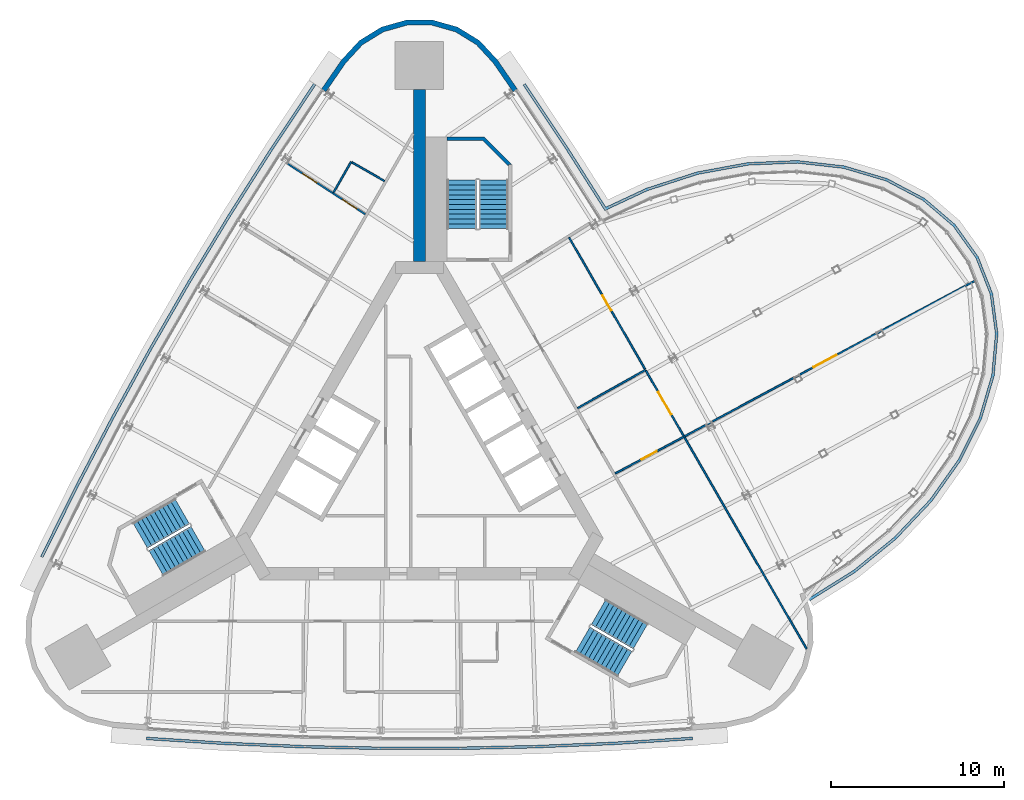
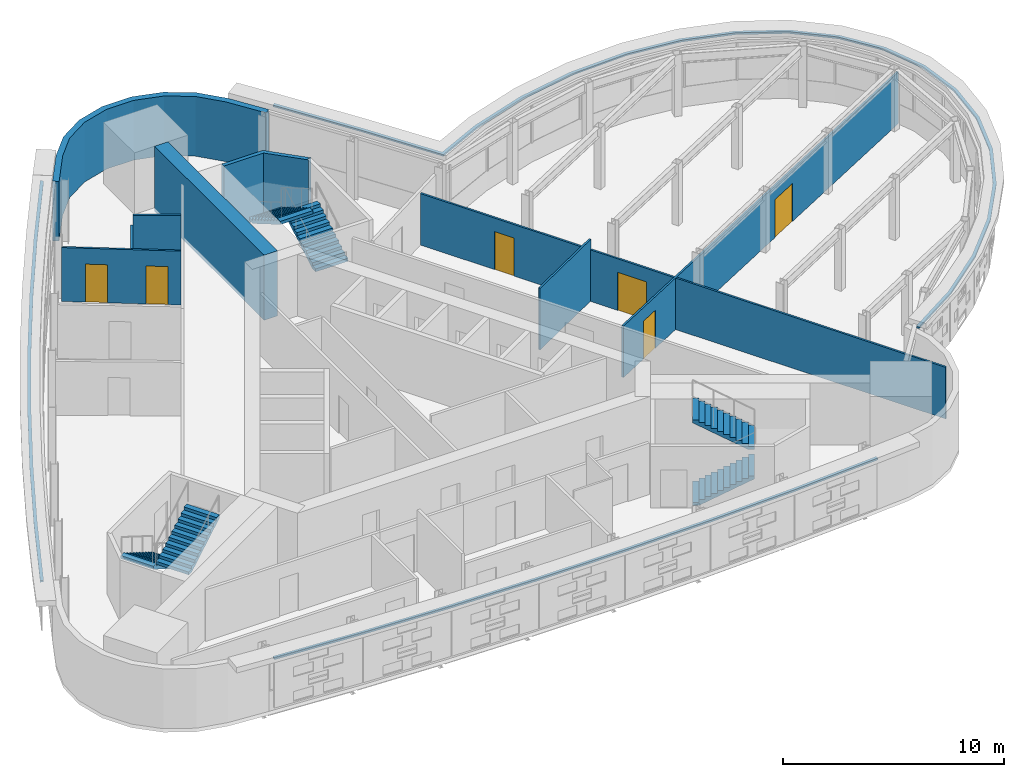
# One storey, part 12 of 15: 11 walls, 6 doors, 6 stair flights, 3 discrete accessories, 6 openings, 3 elements without a shape of their own.
"""IFC4 building model written with IfcOpenShell, lengths in metres."""

from ifc_helpers import new_model, si_unit, direction, frame, frame_2d, origin, place, context, subcontext, project, spatial, polyline, rectangle, outline, extrude, material, layer, layer_set, type_object, element, fill, aggregate, save


model = new_model("IFC4")

# Units and contexts
model_context = context("Model", 3, precision=1e-05, world=origin(), true_north=direction((0.0, 1.0)))
body_context = subcontext(model_context, "Body", "Model", "MODEL_VIEW")
ifc_project = project(units=[si_unit("LENGTHUNIT", "METRE"), si_unit("AREAUNIT", "SQUARE_METRE"), si_unit("VOLUMEUNIT", "CUBIC_METRE"), si_unit("PLANEANGLEUNIT", "RADIAN"), si_unit("MASSUNIT", "GRAM", prefix="KILO")], contexts=[model_context])

# Site, building, storey
site_placement = place(None, origin())
site = spatial("IfcSite", under=ifc_project, at=site_placement, CompositionType="ELEMENT")
building_placement = place(site_placement, origin())
building = spatial("IfcBuilding", under=site, at=building_placement, Name="Noor Cloister Tower", CompositionType="ELEMENT")
storey_placement = place(building_placement, frame((0.0, 0.0, 181.5)))
storey = spatial("IfcBuildingStorey", under=building, at=storey_placement, Name="L46", CompositionType="ELEMENT", Elevation=181.5)

# Walls
ifc_material_1 = material(Name="Concrete C70/85", Category="concrete")
ifc_layer_1 = layer(ifc_material_1, 0.699951171875)
ifc_layer_set_1 = layer_set([ifc_layer_1], Name="Buttress wall 700 C70/85")
wall_type_1 = type_object("IfcWallType", Name="Buttress wall 700 C70/85", PredefinedType="SHEAR", material=ifc_layer_set_1)
wall_1_placement = place(storey_placement, frame((0.0, 11.456298828125, -0.199951171875), z_axis=(0.0, 0.0, 1.0), x_axis=(0.0, 1.0, 0.0)))
element("IfcWall", 1, at=wall_1_placement, inside=storey, type_object=wall_type_1, Name="Buttress wall N L46", PredefinedType="SHEAR", context=body_context, shape_type="SweptSolid", body=[
    extrude(rectangle(XDim=9.927734375, YDim=0.699951171875, at=frame_2d((4.9638671875, 0.0))), origin(), (0.0, 0.0, 1.0), 3.599853515625),
])
ifc_material_2 = material(Name="Limestone", Category="masonry")
ifc_layer_2 = layer(ifc_material_2, 0.300048828125)
ifc_layer_set_2 = layer_set([ifc_layer_2], Name="Limestone cladding 300")
wall_type_2 = type_object("IfcWallType", Name="Limestone cladding 300", PredefinedType="NOTDEFINED", material=ifc_layer_set_2)
wall_2_placement = place(storey_placement, origin())
element("IfcWall", 2, at=wall_2_placement, inside=storey, type_object=wall_type_2, Name="Limestone pier cladding L46 3.1", PredefinedType="NOTDEFINED", context=body_context, shape_type="SweptSolid", body=[
    extrude(outline(polyline([(5.65234375, 21.43310546875), (4.496826171875, 23.113037109375), (3.47802734375, 24.2177734375), (2.197509765625, 25.00390625), (0.751220703125, 25.412353515625), (-0.751220703125, 25.412353515625), (-2.197509765625, 25.00390625), (-3.47802734375, 24.2177734375), (-4.496826171875, 23.113037109375), (-5.65234375, 21.43310546875), (-5.405029296875, 21.26318359375), (-4.26171875, 22.925537109375), (-3.28564453125, 23.98388671875), (-2.075927734375, 24.7265625), (-0.709716796875, 25.1123046875), (0.709716796875, 25.1123046875), (2.075927734375, 24.7265625), (3.28564453125, 23.98388671875), (4.26171875, 22.925537109375), (5.405029296875, 21.26318359375), (5.65234375, 21.43310546875)])), origin(), (0.0, 0.0, 1.0), 3.300048828125),
])

# Wall, openings, doors
ifc_material_3 = material(Name="Gypsum board partition on steel studs, 100 mm", Category="steel")
ifc_layer_3 = layer(ifc_material_3, 0.10009765625)
ifc_layer_set_3 = layer_set([ifc_layer_3], Name="Partition 100")
wall_type_3 = type_object("IfcWallType", Name="Partition 100", PredefinedType="PARTITIONING", material=ifc_layer_set_3)
wall_3_placement = place(storey_placement, frame((11.3115234375, -0.785888671875, 0.0), z_axis=(0.0, 0.0, 1.0), x_axis=(0.881471822947, 0.472236620087, 0.0)))
wall_3 = element("IfcWall", 3, at=wall_3_placement, inside=storey, type_object=wall_type_3, Name="Wall L46-W03", PredefinedType="PARTITIONING", context=body_context, shape_type="SweptSolid", body=[
    extrude(rectangle(XDim=23.611328125, YDim=0.10009765625, at=frame_2d((11.8056640625, 0.0))), origin(), (0.0, 0.0, 1.0), 2.846923828125),
])
opening_1_placement = place(wall_3_placement, frame((1.716064453125, 0.0, 0.0)))
opening_1 = element("IfcOpeningElement", 4, at=opening_1_placement, cuts=wall_3, Name="Opening L46-002", PredefinedType="OPENING", context=body_context, shape_type="SweptSolid", body=[
    extrude(rectangle(XDim=1.0, YDim=2.10009765625, at=frame_2d((0.5, 1.050048828125))), frame((0.0, 0.06005859375, 0.0), z_axis=(0.0, -1.0, 0.0), x_axis=(1.0, 0.0, 0.0)), (0.0, 0.0, 1.0), 0.1201171875),
])
opening_2_placement = place(wall_3_placement, frame((13.001953125, 0.0, 0.0)))
opening_2 = element("IfcOpeningElement", 5, at=opening_2_placement, cuts=wall_3, Name="Opening L46-003", PredefinedType="OPENING", context=body_context, shape_type="SweptSolid", body=[
    extrude(rectangle(XDim=1.5, YDim=2.10009765625, at=frame_2d((0.75, 1.050048828125))), frame((0.0, 0.06005859375, 0.0), z_axis=(0.0, -1.0, 0.0), x_axis=(1.0, 0.0, 0.0)), (0.0, 0.0, 1.0), 0.1201171875),
])
ifc_material_4 = material(Name="Timber door leaf with steel frame", Category="steel")
door_type_1 = type_object("IfcDoorType", Name="Double door 1500", OperationType="NOTDEFINED", PredefinedType="DOOR", material=ifc_material_4)
door_1_placement = place(opening_2_placement, origin())
door_1 = element("IfcDoor", 6, at=door_1_placement, inside=storey, type_object=door_type_1, Name="Door L46-003", OperationType="DOUBLE_DOOR_SINGLE_SWING", OverallHeight=2.10009765625, OverallWidth=1.5, PredefinedType="DOOR", context=body_context, shape_type="SweptSolid", body=[
    extrude(rectangle(XDim=1.5, YDim=2.10009765625, at=frame_2d((0.75, 1.050048828125))), frame((0.0, 0.02490234375, 0.0), z_axis=(0.0, -1.0, 0.0), x_axis=(1.0, 0.0, 0.0)), (0.0, 0.0, 1.0), 0.050048828125),
])
fill(opening_2, door_1)
ifc_material_5 = material(Name="Timber door leaf with steel frame", Category="steel")
door_type_2 = type_object("IfcDoorType", Name="Interior door 1000", OperationType="NOTDEFINED", PredefinedType="DOOR", material=ifc_material_5)
door_2_placement = place(opening_1_placement, origin())
door_2 = element("IfcDoor", 7, at=door_2_placement, inside=storey, type_object=door_type_2, Name="Door L46-002", OperationType="SINGLE_SWING_RIGHT", OverallHeight=2.10009765625, OverallWidth=1.0, PredefinedType="DOOR", context=body_context, shape_type="SweptSolid", body=[
    extrude(rectangle(XDim=1.0, YDim=2.10009765625, at=frame_2d((0.5, 1.050048828125))), frame((0.0, 0.02490234375, 0.0), z_axis=(0.0, -1.0, 0.0), x_axis=(1.0, 0.0, 0.0)), (0.0, 0.0, 1.0), 0.050048828125),
])
fill(opening_1, door_2)

# Walls
wall_4_placement = place(storey_placement, frame((9.132568359375, 2.988525390625, 0.0), z_axis=(0.0, 0.0, 1.0), x_axis=(0.871281573597, 0.490783475181, 0.0)))
element("IfcWall", 8, at=wall_4_placement, inside=storey, type_object=wall_type_3, Name="Wall L46-W04", PredefinedType="PARTITIONING", context=body_context, shape_type="SweptSolid", body=[
    extrude(rectangle(XDim=4.5048828125, YDim=0.10009765625, at=frame_2d((2.25244140625, 0.0))), origin(), (0.0, 0.0, 1.0), 3.39990234375),
])
wall_5_placement = place(storey_placement, frame((22.362548828125, -10.9169921875, 0.0), z_axis=(0.0, 0.0, 1.0), x_axis=(-0.500007103281, 0.866021302664, 0.0)))
element("IfcWall", 9, at=wall_5_placement, inside=storey, type_object=wall_type_3, Name="Wall L46-W05", PredefinedType="PARTITIONING", context=body_context, shape_type="SweptSolid", body=[
    extrude(rectangle(XDim=14.106201171875, YDim=0.10009765625, at=frame_2d((7.05322265625, 0.0))), origin(), (0.0, 0.0, 1.0), 2.846923828125),
])

# Wall, opening, door
wall_6_placement = place(storey_placement, frame((15.25927734375, 1.385986328125, 0.0), z_axis=(0.0, 0.0, 1.0), x_axis=(-0.499999150107, 0.86602589447, 0.0)))
wall_6 = element("IfcWall", 10, at=wall_6_placement, inside=storey, type_object=wall_type_3, Name="Wall L46-W06", PredefinedType="PARTITIONING", context=body_context, shape_type="SweptSolid", body=[
    extrude(rectangle(XDim=4.353515625, YDim=0.10009765625, at=frame_2d((2.1767578125, 0.0))), origin(), (0.0, 0.0, 1.0), 2.846923828125),
])
opening_3_placement = place(wall_6_placement, frame((1.4267578125, 0.0, 0.0)))
opening_3 = element("IfcOpeningElement", 11, at=opening_3_placement, cuts=wall_6, Name="Opening L46-004", PredefinedType="OPENING", context=body_context, shape_type="SweptSolid", body=[
    extrude(rectangle(XDim=1.5, YDim=2.10009765625, at=frame_2d((0.75, 1.050048828125))), frame((0.0, 0.06005859375, 0.0), z_axis=(0.0, -1.0, 0.0), x_axis=(1.0, 0.0, 0.0)), (0.0, 0.0, 1.0), 0.1201171875),
])
door_3_placement = place(opening_3_placement, origin())
door_3 = element("IfcDoor", 12, at=door_3_placement, inside=storey, type_object=door_type_1, Name="Door L46-004", OperationType="DOUBLE_DOOR_SINGLE_SWING", OverallHeight=2.10009765625, OverallWidth=1.5, PredefinedType="DOOR", context=body_context, shape_type="SweptSolid", body=[
    extrude(rectangle(XDim=1.5, YDim=2.10009765625, at=frame_2d((0.75, 1.050048828125))), frame((0.0, 0.02490234375, 0.0), z_axis=(0.0, -1.0, 0.0), x_axis=(1.0, 0.0, 0.0)), (0.0, 0.0, 1.0), 0.050048828125),
])
fill(opening_3, door_3)

wall_7_placement = place(storey_placement, frame((13.032470703125, 5.242919921875, 0.0), z_axis=(0.0, 0.0, 1.0), x_axis=(-0.499996840937, 0.866027227663, 0.0)))
wall_7 = element("IfcWall", 13, at=wall_7_placement, inside=storey, type_object=wall_type_3, Name="Wall L46-W07", PredefinedType="PARTITIONING", context=body_context, shape_type="SweptSolid", body=[
    extrude(rectangle(XDim=8.7802734375, YDim=0.10009765625, at=frame_2d((4.39013671875, 0.0))), origin(), (0.0, 0.0, 1.0), 2.846923828125),
])
opening_4_placement = place(wall_7_placement, frame((3.90283203125, 0.0, 0.0)))
opening_4 = element("IfcOpeningElement", 14, at=opening_4_placement, cuts=wall_7, Name="Opening L46-005", PredefinedType="OPENING", context=body_context, shape_type="SweptSolid", body=[
    extrude(rectangle(XDim=1.0, YDim=2.10009765625, at=frame_2d((0.5, 1.050048828125))), frame((0.0, 0.06005859375, 0.0), z_axis=(0.0, -1.0, 0.0), x_axis=(1.0, 0.0, 0.0)), (0.0, 0.0, 1.0), 0.1201171875),
])
door_4_placement = place(opening_4_placement, origin())
door_4 = element("IfcDoor", 15, at=door_4_placement, inside=storey, type_object=door_type_2, Name="Door L46-005", OperationType="SINGLE_SWING_LEFT", OverallHeight=2.10009765625, OverallWidth=1.0, PredefinedType="DOOR", context=body_context, shape_type="SweptSolid", body=[
    extrude(rectangle(XDim=1.0, YDim=2.10009765625, at=frame_2d((0.5, 1.050048828125))), frame((0.0, 0.02490234375, 0.0), z_axis=(0.0, -1.0, 0.0), x_axis=(1.0, 0.0, 0.0)), (0.0, 0.0, 1.0), 0.050048828125),
])
fill(opening_4, door_4)

# Wall, openings, doors
wall_8_placement = place(storey_placement, frame((-7.66552734375, 17.136474609375, 0.0), z_axis=(0.0, 0.0, 1.0), x_axis=(0.838353922252, -0.545126316595, 0.0)))
wall_8 = element("IfcWall", 16, at=wall_8_placement, inside=storey, type_object=wall_type_3, Name="Wall L46-W23", PredefinedType="PARTITIONING", context=body_context, shape_type="SweptSolid", body=[
    extrude(rectangle(XDim=5.4111328125, YDim=0.10009765625, at=frame_2d((2.70556640625, 0.0))), origin(), (0.0, 0.0, 1.0), 2.97412109375),
])
opening_5_placement = place(wall_8_placement, frame((1.091552734375, 0.0, 0.0)))
opening_5 = element("IfcOpeningElement", 17, at=opening_5_placement, cuts=wall_8, Name="Opening L46-016", PredefinedType="OPENING", context=body_context, shape_type="SweptSolid", body=[
    extrude(rectangle(XDim=1.0, YDim=2.10009765625, at=frame_2d((0.5, 1.050048828125))), frame((0.0, 0.06005859375, 0.0), z_axis=(0.0, -1.0, 0.0), x_axis=(1.0, 0.0, 0.0)), (0.0, 0.0, 1.0), 0.1201171875),
])
opening_6_placement = place(wall_8_placement, frame((3.834716796875, 0.0, 0.0)))
opening_6 = element("IfcOpeningElement", 18, at=opening_6_placement, cuts=wall_8, Name="Opening L46-017", PredefinedType="OPENING", context=body_context, shape_type="SweptSolid", body=[
    extrude(rectangle(XDim=1.0, YDim=2.10009765625, at=frame_2d((0.5, 1.050048828125))), frame((0.0, 0.06005859375, 0.0), z_axis=(0.0, -1.0, 0.0), x_axis=(1.0, 0.0, 0.0)), (0.0, 0.0, 1.0), 0.1201171875),
])
door_5_placement = place(opening_5_placement, origin())
door_5 = element("IfcDoor", 19, at=door_5_placement, inside=storey, type_object=door_type_2, Name="Door L46-016", OperationType="SINGLE_SWING_RIGHT", OverallHeight=2.10009765625, OverallWidth=1.0, PredefinedType="DOOR", context=body_context, shape_type="SweptSolid", body=[
    extrude(rectangle(XDim=1.0, YDim=2.10009765625, at=frame_2d((0.5, 1.050048828125))), frame((0.0, 0.02490234375, 0.0), z_axis=(0.0, -1.0, 0.0), x_axis=(1.0, 0.0, 0.0)), (0.0, 0.0, 1.0), 0.050048828125),
])
fill(opening_5, door_5)
door_6_placement = place(opening_6_placement, origin())
door_6 = element("IfcDoor", 20, at=door_6_placement, inside=storey, type_object=door_type_2, Name="Door L46-017", OperationType="SINGLE_SWING_LEFT", OverallHeight=2.10009765625, OverallWidth=1.0, PredefinedType="DOOR", context=body_context, shape_type="SweptSolid", body=[
    extrude(rectangle(XDim=1.0, YDim=2.10009765625, at=frame_2d((0.5, 1.050048828125))), frame((0.0, 0.02490234375, 0.0), z_axis=(0.0, -1.0, 0.0), x_axis=(1.0, 0.0, 0.0)), (0.0, 0.0, 1.0), 0.050048828125),
])
fill(opening_6, door_6)

# Walls
wall_9_placement = place(storey_placement, frame((-4.971923828125, 15.444580078125, 0.0), z_axis=(0.0, 0.0, 1.0), x_axis=(0.499956128963, 0.866050731258, 0.0)))
element("IfcWall", 21, at=wall_9_placement, inside=storey, type_object=wall_type_3, Name="Wall L46-W24", PredefinedType="PARTITIONING", context=body_context, shape_type="SweptSolid", body=[
    extrude(rectangle(XDim=2.050048828125, YDim=0.10009765625, at=frame_2d((1.02490234375, 0.0))), origin(), (0.0, 0.0, 1.0), 2.846923828125),
])
wall_10_placement = place(storey_placement, frame((-3.90380859375, 17.19482421875, 0.0), z_axis=(0.0, 0.0, 1.0), x_axis=(0.866065968399, -0.499929733443, 0.0)))
element("IfcWall", 22, at=wall_10_placement, inside=storey, type_object=wall_type_3, Name="Wall L46-W25", PredefinedType="PARTITIONING", context=body_context, shape_type="SweptSolid", body=[
    extrude(rectangle(XDim=2.175048828125, YDim=0.10009765625, at=frame_2d((1.08740234375, 0.0))), origin(), (0.0, 0.0, 1.0), 3.39990234375),
])
ifc_material_6 = material(Name="Concrete C70/85", Category="concrete")
wall_type_4 = type_object("IfcWallType", Name="Stair far end wall C70/85", PredefinedType="SHEAR", material=ifc_material_6)
wall_11_placement = place(storey_placement, frame((0.0, 0.0, -0.199951171875)))
element("IfcWall", 23, at=wall_11_placement, inside=storey, type_object=wall_type_4, Name="Stair enclosure wall ST1 L46 far end", PredefinedType="SHEAR", context=body_context, shape_type="SweptSolid", body=[
    extrude(outline(polyline([(5.335693359375, 17.056396484375), (3.735595703125, 18.656494140625), (1.585693359375, 18.656494140625), (1.585693359375, 18.456298828125), (3.65283203125, 18.456298828125), (5.135498046875, 16.9736328125), (5.135498046875, 17.056396484375), (5.135498046875, 17.056396484375), (5.135498046875, 17.056396484375), (5.135498046875, 17.056396484375), (5.135498046875, 17.056396484375), (5.135498046875, 17.056396484375), (5.135498046875, 17.056396484375), (5.135498046875, 17.056396484375), (5.135498046875, 17.056396484375), (5.135498046875, 17.056396484375), (5.135498046875, 17.056396484375), (5.135498046875, 17.056396484375), (5.135498046875, 17.056396484375), (5.135498046875, 17.056396484375), (5.135498046875, 17.056396484375), (5.135498046875, 17.056396484375), (5.135498046875, 17.056396484375), (5.335693359375, 17.056396484375)])), origin(), (0.0, 0.0, 1.0), 3.599853515625),
])

# Stair, stair flights
ifc_material_7 = material(Name="Concrete C40/50", Category="concrete")
stair_type = type_object("IfcStairType", Name="Exit stair 22 risers", PredefinedType="HALF_TURN_STAIR", material=ifc_material_7)
stair_1_placement = place(storey_placement, origin())
stair_1 = element("IfcStair", 24, at=stair_1_placement, inside=storey, type_object=stair_type, Name="Exit stair ST1 L46", PredefinedType="HALF_TURN_STAIR")
ifc_material_8 = material(Name="Concrete C40/50", Category="concrete")
stair_flight_type = type_object("IfcStairFlightType", Name="Exit stair flight", PredefinedType="STRAIGHT", material=ifc_material_8)
stair_flight_1_placement = place(storey_placement, frame((4.28564453125, 13.3564453125, 0.0), z_axis=(0.0, 0.0, 1.0), x_axis=(0.0, 1.0, 0.0)))
stair_flight_1 = element("IfcStairFlight", 25, at=stair_flight_1_placement, type_object=stair_flight_type, Name="ST1 flight 1", NumberOfRisers=11, NumberOfTreads=10, PredefinedType="STRAIGHT", RiserHeight=0.163636364, TreadLength=0.28, context=body_context, shape_type="SweptSolid", body=[
    extrude(outline(polyline([(0.0, 0.0), (0.0, 0.16357421875), (0.280029296875, 0.16357421875), (0.280029296875, 0.327392578125), (0.56005859375, 0.327392578125), (0.56005859375, 0.490966796875), (0.840087890625, 0.490966796875), (0.840087890625, 0.654541015625), (1.1201171875, 0.654541015625), (1.1201171875, 0.818115234375), (1.39990234375, 0.818115234375), (1.39990234375, 0.98193359375), (1.679931640625, 0.98193359375), (1.679931640625, 1.1455078125), (1.9599609375, 1.1455078125), (1.9599609375, 1.30908203125), (2.239990234375, 1.30908203125), (2.239990234375, 1.47265625), (2.52001953125, 1.47265625), (2.52001953125, 1.636474609375), (2.800048828125, 1.636474609375), (2.800048828125, 1.800048828125), (2.800048828125, 1.462646484375), (0.297119140625, 0.0), (0.0, 0.0)])), frame((0.0, 0.85009765625, 0.0), z_axis=(0.0, -1.0, 0.0), x_axis=(1.0, 0.0, 0.0)), (0.0, 0.0, 1.0), 1.699951171875),
])
stair_flight_2_placement = place(storey_placement, frame((2.435546875, 16.156494140625, 1.800048828125), z_axis=(0.0, 0.0, 1.0), x_axis=(0.0, -1.0, 0.0)))
stair_flight_2 = element("IfcStairFlight", 26, at=stair_flight_2_placement, type_object=stair_flight_type, Name="ST1 flight 2", NumberOfRisers=11, NumberOfTreads=10, PredefinedType="STRAIGHT", RiserHeight=0.163636364, TreadLength=0.28, context=body_context, shape_type="SweptSolid", body=[
    extrude(outline(polyline([(0.0, 0.0), (0.0, 0.16357421875), (0.280029296875, 0.16357421875), (0.280029296875, 0.327392578125), (0.56005859375, 0.327392578125), (0.56005859375, 0.490966796875), (0.840087890625, 0.490966796875), (0.840087890625, 0.654541015625), (1.1201171875, 0.654541015625), (1.1201171875, 0.818115234375), (1.39990234375, 0.818115234375), (1.39990234375, 0.98193359375), (1.679931640625, 0.98193359375), (1.679931640625, 1.1455078125), (1.9599609375, 1.1455078125), (1.9599609375, 1.30908203125), (2.239990234375, 1.30908203125), (2.239990234375, 1.47265625), (2.52001953125, 1.47265625), (2.52001953125, 1.636474609375), (2.800048828125, 1.636474609375), (2.800048828125, 1.800048828125), (2.800048828125, 1.462646484375), (0.297119140625, 0.0), (0.0, 0.0)])), frame((0.0, 0.85009765625, 0.0), z_axis=(0.0, -1.0, 0.0), x_axis=(1.0, 0.0, 0.0)), (0.0, 0.0, 1.0), 1.699951171875),
])
aggregate(stair_1, [stair_flight_1, stair_flight_2])

stair_2_placement = place(storey_placement, origin())
stair_2 = element("IfcStair", 27, at=stair_2_placement, inside=storey, type_object=stair_type, Name="Exit stair ST2 L46", PredefinedType="HALF_TURN_STAIR")
stair_flight_3_placement = place(storey_placement, frame((-13.709716796875, -2.966796875, 0.0), z_axis=(0.0, 0.0, 1.0), x_axis=(-0.866025403784, -0.5, 0.0)))
stair_flight_3 = element("IfcStairFlight", 28, at=stair_flight_3_placement, type_object=stair_flight_type, Name="ST2 flight 1", NumberOfRisers=11, NumberOfTreads=10, PredefinedType="STRAIGHT", RiserHeight=0.163636364, TreadLength=0.28, context=body_context, shape_type="SweptSolid", body=[
    extrude(outline(polyline([(0.0, 0.0), (0.0, 0.16357421875), (0.280029296875, 0.16357421875), (0.280029296875, 0.327392578125), (0.56005859375, 0.327392578125), (0.56005859375, 0.490966796875), (0.840087890625, 0.490966796875), (0.840087890625, 0.654541015625), (1.1201171875, 0.654541015625), (1.1201171875, 0.818115234375), (1.39990234375, 0.818115234375), (1.39990234375, 0.98193359375), (1.679931640625, 0.98193359375), (1.679931640625, 1.1455078125), (1.9599609375, 1.1455078125), (1.9599609375, 1.30908203125), (2.239990234375, 1.30908203125), (2.239990234375, 1.47265625), (2.52001953125, 1.47265625), (2.52001953125, 1.636474609375), (2.800048828125, 1.636474609375), (2.800048828125, 1.800048828125), (2.800048828125, 1.462646484375), (0.297119140625, 0.0), (0.0, 0.0)])), frame((0.0, 0.85009765625, 0.0), z_axis=(0.0, -1.0, 0.0), x_axis=(1.0, 0.0, 0.0)), (0.0, 0.0, 1.0), 1.699951171875),
])
stair_flight_4_placement = place(storey_placement, frame((-15.209716796875, -5.968994140625, 1.800048828125), z_axis=(0.0, 0.0, 1.0), x_axis=(0.866025403784, 0.5, 0.0)))
stair_flight_4 = element("IfcStairFlight", 29, at=stair_flight_4_placement, type_object=stair_flight_type, Name="ST2 flight 2", NumberOfRisers=11, NumberOfTreads=10, PredefinedType="STRAIGHT", RiserHeight=0.163636364, TreadLength=0.28, context=body_context, shape_type="SweptSolid", body=[
    extrude(outline(polyline([(0.0, 0.0), (0.0, 0.16357421875), (0.280029296875, 0.16357421875), (0.280029296875, 0.327392578125), (0.56005859375, 0.327392578125), (0.56005859375, 0.490966796875), (0.840087890625, 0.490966796875), (0.840087890625, 0.654541015625), (1.1201171875, 0.654541015625), (1.1201171875, 0.818115234375), (1.39990234375, 0.818115234375), (1.39990234375, 0.98193359375), (1.679931640625, 0.98193359375), (1.679931640625, 1.1455078125), (1.9599609375, 1.1455078125), (1.9599609375, 1.30908203125), (2.239990234375, 1.30908203125), (2.239990234375, 1.47265625), (2.52001953125, 1.47265625), (2.52001953125, 1.636474609375), (2.800048828125, 1.636474609375), (2.800048828125, 1.800048828125), (2.800048828125, 1.462646484375), (0.297119140625, 0.0), (0.0, 0.0)])), frame((0.0, 0.85009765625, 0.0), z_axis=(0.0, -1.0, 0.0), x_axis=(1.0, 0.0, 0.0)), (0.0, 0.0, 1.0), 1.699951171875),
])
aggregate(stair_2, [stair_flight_3, stair_flight_4])

stair_3_placement = place(storey_placement, origin())
stair_3 = element("IfcStair", 30, at=stair_3_placement, inside=storey, type_object=stair_type, Name="Exit stair ST3 L46", PredefinedType="HALF_TURN_STAIR")
stair_flight_5_placement = place(storey_placement, frame((9.424072265625, -10.3896484375, 0.0), z_axis=(0.0, 0.0, 1.0), x_axis=(0.866025403784, -0.5, 0.0)))
stair_flight_5 = element("IfcStairFlight", 31, at=stair_flight_5_placement, type_object=stair_flight_type, Name="ST3 flight 1", NumberOfRisers=11, NumberOfTreads=10, PredefinedType="STRAIGHT", RiserHeight=0.163636364, TreadLength=0.28, context=body_context, shape_type="SweptSolid", body=[
    extrude(outline(polyline([(0.0, 0.0), (0.0, 0.16357421875), (0.280029296875, 0.16357421875), (0.280029296875, 0.327392578125), (0.56005859375, 0.327392578125), (0.56005859375, 0.490966796875), (0.840087890625, 0.490966796875), (0.840087890625, 0.654541015625), (1.1201171875, 0.654541015625), (1.1201171875, 0.818115234375), (1.39990234375, 0.818115234375), (1.39990234375, 0.98193359375), (1.679931640625, 0.98193359375), (1.679931640625, 1.1455078125), (1.9599609375, 1.1455078125), (1.9599609375, 1.30908203125), (2.239990234375, 1.30908203125), (2.239990234375, 1.47265625), (2.52001953125, 1.47265625), (2.52001953125, 1.636474609375), (2.800048828125, 1.636474609375), (2.800048828125, 1.800048828125), (2.800048828125, 1.462646484375), (0.297119140625, 0.0), (0.0, 0.0)])), frame((0.0, 0.85009765625, 0.0), z_axis=(0.0, -1.0, 0.0), x_axis=(1.0, 0.0, 0.0)), (0.0, 0.0, 1.0), 1.699951171875),
])
stair_flight_6_placement = place(storey_placement, frame((12.77392578125, -10.1875, 1.800048828125), z_axis=(0.0, 0.0, 1.0), x_axis=(-0.866025403784, 0.5, 0.0)))
stair_flight_6 = element("IfcStairFlight", 32, at=stair_flight_6_placement, type_object=stair_flight_type, Name="ST3 flight 2", NumberOfRisers=11, NumberOfTreads=10, PredefinedType="STRAIGHT", RiserHeight=0.163636364, TreadLength=0.28, context=body_context, shape_type="SweptSolid", body=[
    extrude(outline(polyline([(0.0, 0.0), (0.0, 0.16357421875), (0.280029296875, 0.16357421875), (0.280029296875, 0.327392578125), (0.56005859375, 0.327392578125), (0.56005859375, 0.490966796875), (0.840087890625, 0.490966796875), (0.840087890625, 0.654541015625), (1.1201171875, 0.654541015625), (1.1201171875, 0.818115234375), (1.39990234375, 0.818115234375), (1.39990234375, 0.98193359375), (1.679931640625, 0.98193359375), (1.679931640625, 1.1455078125), (1.9599609375, 1.1455078125), (1.9599609375, 1.30908203125), (2.239990234375, 1.30908203125), (2.239990234375, 1.47265625), (2.52001953125, 1.47265625), (2.52001953125, 1.636474609375), (2.800048828125, 1.636474609375), (2.800048828125, 1.800048828125), (2.800048828125, 1.462646484375), (0.297119140625, 0.0), (0.0, 0.0)])), frame((0.0, 0.85009765625, 0.0), z_axis=(0.0, -1.0, 0.0), x_axis=(1.0, 0.0, 0.0)), (0.0, 0.0, 1.0), 1.699951171875),
])
aggregate(stair_3, [stair_flight_5, stair_flight_6])

# Discrete accessories
ifc_material_9 = material(Name="Stainless steel grade 316", Category="steel")
discrete_accessory_type = type_object("IfcDiscreteAccessoryType", Name="Stainless hanger rail", PredefinedType="BRACKET", material=ifc_material_9)
discrete_accessory_1_placement = place(storey_placement, frame((0.0, 0.0, 3.199951171875)))
element("IfcDiscreteAccessory", 33, at=discrete_accessory_1_placement, inside=storey, type_object=discrete_accessory_type, Name="Hanger rail L46", PredefinedType="BRACKET", context=body_context, shape_type="SweptSolid", body=[
    extrude(outline(polyline([(-6.118408203125, 21.743408203125), (-8.61474609375, 17.9921875), (-11.033935546875, 14.183837890625), (-13.3720703125, 10.3251953125), (-15.6279296875, 6.41796875), (-17.80078125, 2.4638671875), (-19.88916015625, -1.53564453125), (-21.8896484375, -5.572998046875), (-21.746337890625, -5.64404296875), (-19.746337890625, -1.608154296875), (-17.65966796875, 2.38818359375), (-15.488525390625, 6.33935546875), (-13.234375, 10.243896484375), (-10.89794921875, 14.099609375), (-8.48046875, 17.905029296875), (-5.9853515625, 21.65478515625), (-6.118408203125, 21.743408203125)])), origin(), (0.0, 0.0, 1.0), 0.10009765625),
])
discrete_accessory_2_placement = place(storey_placement, frame((0.0, 0.0, 3.199951171875)))
element("IfcDiscreteAccessory", 34, at=discrete_accessory_2_placement, inside=storey, type_object=discrete_accessory_type, Name="Hanger rail L46", PredefinedType="BRACKET", context=body_context, shape_type="SweptSolid", body=[
    extrude(outline(polyline([(-15.771240234375, -16.17041015625), (-11.2744140625, -16.45654296875), (-6.7666015625, -16.647705078125), (-2.255859375, -16.7431640625), (2.255859375, -16.7431640625), (6.7666015625, -16.647705078125), (11.2744140625, -16.45654296875), (15.771240234375, -16.17041015625), (15.760986328125, -16.0107421875), (11.265869140625, -16.296875), (6.761474609375, -16.48779296875), (2.254150390625, -16.583251953125), (-2.254150390625, -16.583251953125), (-6.761474609375, -16.48779296875), (-11.265869140625, -16.296875), (-15.760986328125, -16.0107421875), (-15.771240234375, -16.17041015625)])), origin(), (0.0, 0.0, 1.0), 0.10009765625),
])
discrete_accessory_3_placement = place(storey_placement, frame((0.0, 0.0, 3.199951171875)))
element("IfcDiscreteAccessory", 35, at=discrete_accessory_3_placement, inside=storey, type_object=discrete_accessory_type, Name="Hanger rail L46", PredefinedType="BRACKET", context=body_context, shape_type="SweptSolid", body=[
    extrude(outline(polyline([(22.561767578125, -8.136962890625), (25.1728515625, -6.50439453125), (27.55322265625, -4.566650390625), (29.603515625, -2.398193359375), (31.261962890625, -0.060302734375), (32.47705078125, 2.380126953125), (33.20849609375, 4.854248046875), (33.427001953125, 7.289306640625), (33.1181640625, 9.609619140625), (32.28515625, 11.73583984375), (30.954833984375, 13.592041015625), (29.176513671875, 15.1142578125), (27.0146484375, 16.25634765625), (24.541259765625, 16.989501953125), (21.832275390625, 17.29833984375), (18.968505859375, 17.1796875), (16.033447265625, 16.639892578125), (13.1123046875, 15.69775390625), (10.76708984375, 14.60400390625), (8.61474609375, 17.9921875), (6.118408203125, 21.743408203125), (5.9853515625, 21.65478515625), (8.48046875, 17.905029296875), (10.70751953125, 14.399658203125), (13.1708984375, 15.548583984375), (16.07275390625, 16.484619140625), (18.986572265625, 17.020263671875), (21.82666015625, 17.137939453125), (24.509033203125, 16.83203125), (26.9541015625, 16.107421875), (29.0859375, 14.98095703125), (30.8359375, 13.483154296875), (32.143310546875, 11.658935546875), (32.962158203125, 9.5693359375), (33.26611328125, 7.285888671875), (33.050537109375, 4.88427734375), (32.32763671875, 2.43896484375), (31.124267578125, 0.02197265625), (29.4794921875, -2.29638671875), (27.444091796875, -4.44921875), (25.07958984375, -6.3740234375), (22.47705078125, -8.00146484375), (22.561767578125, -8.136962890625)])), origin(), (0.0, 0.0, 1.0), 0.10009765625),
])

save(model, "model.ifc")
